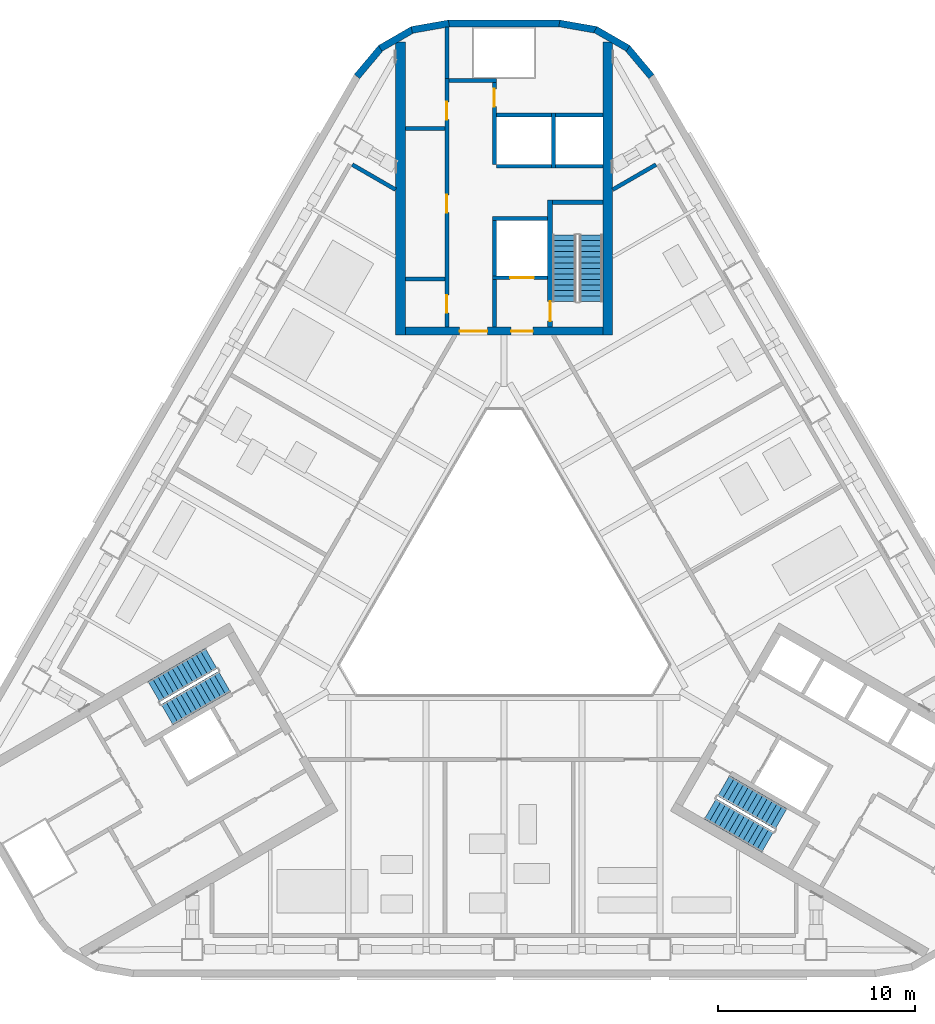
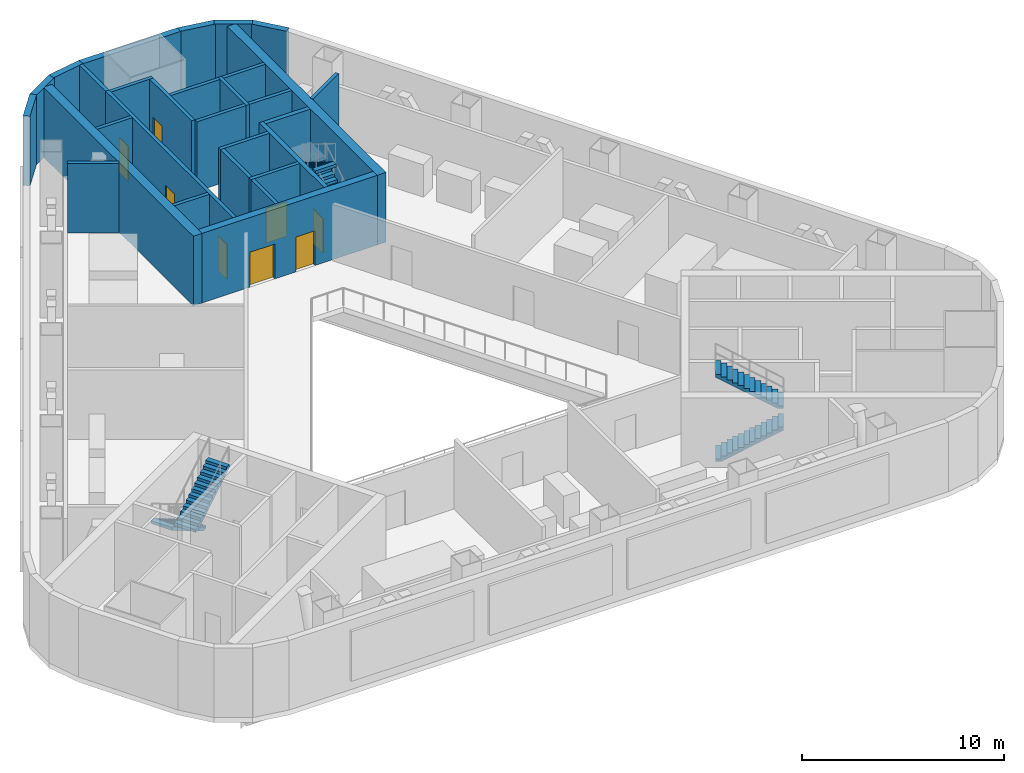
# One storey, part 9 of 15: 29 walls, 8 doors, 6 stair flights, 8 openings, 3 elements without a shape of their own.
"""IFC4 building model written with IfcOpenShell, lengths in metres."""

from ifc_helpers import new_model, si_unit, direction, frame, frame_2d, origin, place, context, subcontext, project, spatial, polyline, rectangle, outline, extrude, material, layer, layer_set, type_object, element, fill, aggregate, save


model = new_model("IFC4")

# Units and contexts
model_context = context("Model", 3, precision=1e-05, world=origin(), true_north=direction((0.0, 1.0)))
body_context = subcontext(model_context, "Body", "Model", "MODEL_VIEW")
ifc_project = project(units=[si_unit("LENGTHUNIT", "METRE"), si_unit("AREAUNIT", "SQUARE_METRE"), si_unit("VOLUMEUNIT", "CUBIC_METRE"), si_unit("PLANEANGLEUNIT", "RADIAN"), si_unit("MASSUNIT", "GRAM", prefix="KILO")], contexts=[model_context])

# Site, building, storey
site_placement = place(None, origin())
site = spatial("IfcSite", under=ifc_project, at=site_placement, CompositionType="ELEMENT")
building_placement = place(site_placement, origin())
building = spatial("IfcBuilding", under=site, at=building_placement, Name="Apuvela Tower Hotel", CompositionType="ELEMENT")
storey_placement = place(building_placement, frame((0.0, 0.0, 37.5)))
storey = spatial("IfcBuildingStorey", under=building, at=storey_placement, Name="L06 Plant", CompositionType="ELEMENT", Elevation=37.5)

# Wall, openings, doors
ifc_material_1 = material(Name="Concrete C50/60", Category="concrete")
ifc_layer_1 = layer(ifc_material_1, 0.39990234375)
ifc_layer_set_1 = layer_set([ifc_layer_1], Name="COR-WALL-CORE-400")
wall_type_1 = type_object("IfcWallType", Name="COR-WALL-CORE-400", PredefinedType="SHEAR", material=ifc_layer_set_1)
wall_1_placement = place(storey_placement, frame((5.0, 13.10009765625, 0.0), z_axis=(0.0, 0.0, 1.0), x_axis=(-1.0, 0.0, 0.0)))
wall_1 = element("IfcWall", 1, at=wall_1_placement, inside=storey, type_object=wall_type_1, Name="Core wall N", PredefinedType="SHEAR", context=body_context, shape_type="SweptSolid", body=[
    extrude(rectangle(XDim=10.0, YDim=0.39990234375, at=frame_2d((5.0, 0.0))), origin(), (0.0, 0.0, 1.0), 4.199951171875),
])
opening_1_placement = place(wall_1_placement, frame((3.550048828125, 0.0, 0.0)))
opening_1 = element("IfcOpeningElement", 2, at=opening_1_placement, cuts=wall_1, Name="Opening N-FD", PredefinedType="OPENING", context=body_context, shape_type="SweptSolid", body=[
    extrude(rectangle(XDim=1.10009765625, YDim=2.10009765625, at=frame_2d((0.550048828125, 1.050048828125))), frame((0.0, 0.2099609375, 0.0), z_axis=(0.0, -1.0, 0.0), x_axis=(1.0, 0.0, 0.0)), (0.0, 0.0, 1.0), 0.419921875),
])
opening_2_placement = place(wall_1_placement, frame((5.85009765625, 0.0, 0.0)))
opening_2 = element("IfcOpeningElement", 3, at=opening_2_placement, cuts=wall_1, Name="Opening N-GD", PredefinedType="OPENING", context=body_context, shape_type="SweptSolid", body=[
    extrude(rectangle(XDim=1.39990234375, YDim=2.10009765625, at=frame_2d((0.699951171875, 1.050048828125))), frame((0.0, 0.2099609375, 0.0), z_axis=(0.0, -1.0, 0.0), x_axis=(1.0, 0.0, 0.0)), (0.0, 0.0, 1.0), 0.419921875),
])
ifc_material_2 = material(Name="Steel fire door, powder coated", Category="steel")
door_type_1 = type_object("IfcDoorType", Name="COR-FD-1100", OperationType="NOTDEFINED", PredefinedType="DOOR", material=ifc_material_2)
door_1_placement = place(opening_1_placement, frame((1.10009765625, 0.0, 0.0), z_axis=(0.0, 0.0, 1.0), x_axis=(-1.0, 0.0, 0.0)))
door_1 = element("IfcDoor", 4, at=door_1_placement, inside=storey, type_object=door_type_1, Name="Firefighting lobby door N-FD", OperationType="SINGLE_SWING_LEFT", OverallHeight=2.10009765625, OverallWidth=1.10009765625, PredefinedType="DOOR", context=body_context, shape_type="SweptSolid", body=[
    extrude(rectangle(XDim=1.10009765625, YDim=2.10009765625, at=frame_2d((0.550048828125, 1.050048828125))), frame((0.0, 0.02490234375, 0.0), z_axis=(0.0, -1.0, 0.0), x_axis=(1.0, 0.0, 0.0)), (0.0, 0.0, 1.0), 0.050048828125),
])
fill(opening_1, door_1)
ifc_material_3 = material(Name="Glazed steel fire door", Category="steel")
door_type_2 = type_object("IfcDoorType", Name="COR-GD-1400", OperationType="DOUBLE_DOOR_SINGLE_SWING", PredefinedType="DOOR", material=ifc_material_3)
door_2_placement = place(opening_2_placement, frame((1.39990234375, 0.0, 0.0), z_axis=(0.0, 0.0, 1.0), x_axis=(-1.0, 0.0, 0.0)))
door_2 = element("IfcDoor", 5, at=door_2_placement, inside=storey, type_object=door_type_2, Name="Lift lobby door N-GD", OperationType="DOUBLE_DOOR_SINGLE_SWING", OverallHeight=2.10009765625, OverallWidth=1.39990234375, PredefinedType="DOOR", context=body_context, shape_type="SweptSolid", body=[
    extrude(rectangle(XDim=1.39990234375, YDim=2.10009765625, at=frame_2d((0.699951171875, 1.050048828125))), frame((0.0, 0.02490234375, 0.0), z_axis=(0.0, -1.0, 0.0), x_axis=(1.0, 0.0, 0.0)), (0.0, 0.0, 1.0), 0.050048828125),
])
fill(opening_2, door_2)

# Walls
ifc_layer_2 = layer(ifc_material_1, 0.5)
ifc_layer_set_2 = layer_set([ifc_layer_2], Name="COR-WALL-CORE-500")
wall_type_2 = type_object("IfcWallType", Name="COR-WALL-CORE-500", PredefinedType="SHEAR", material=ifc_layer_set_2)
for number, where, z_axis, x_axis, name in (
    (6, (5.25, 12.89990234375, 0.0), (0.0, 0.0, 1.0), (0.0, 1.0, 0.0), "Core wall N"),
    (7, (-5.25, 12.89990234375, 0.0), (0.0, 0.0, 1.0), (0.0, 1.0, 0.0), "Core wall N"),
):
    element("IfcWall", number, at=place(storey_placement, frame(where, z_axis=z_axis, x_axis=x_axis)), inside=storey, type_object=wall_type_2, Name=name, PredefinedType="SHEAR", context=body_context, shape_type="SweptSolid", body=[
        extrude(rectangle(XDim=14.8369140625, YDim=0.5, at=frame_2d((7.41845703125, 0.0))), origin(), (0.0, 0.0, 1.0), 4.199951171875),
    ])
ifc_material_4 = material(Name="Blockwork 200 mm plastered", Category="masonry")
ifc_layer_3 = layer(ifc_material_4, 0.199951171875)
ifc_layer_set_3 = layer_set([ifc_layer_3], Name="COR-WALL-PART-200")
wall_type_3 = type_object("IfcWallType", Name="COR-WALL-PART-200", PredefinedType="PARTITIONING", material=ifc_layer_set_3)
wall_2_placement = place(storey_placement, frame((5.0, 21.449951171875, 0.0), z_axis=(0.0, 0.0, 1.0), x_axis=(-1.0, 0.0, 0.0)))
element("IfcWall", 8, at=wall_2_placement, inside=storey, type_object=wall_type_3, Name="Partition N", PredefinedType="PARTITIONING", context=body_context, shape_type="SweptSolid", body=[
    extrude(rectangle(XDim=2.39990234375, YDim=0.199951171875, at=frame_2d((1.199951171875, 0.0))), origin(), (0.0, 0.0, 1.0), 4.199951171875),
])
wall_3_placement = place(storey_placement, frame((2.39990234375, 21.449951171875, 0.0), z_axis=(0.0, 0.0, 1.0), x_axis=(-1.0, 0.0, 0.0)))
element("IfcWall", 9, at=wall_3_placement, inside=storey, type_object=wall_type_3, Name="Partition N", PredefinedType="PARTITIONING", context=body_context, shape_type="SweptSolid", body=[
    extrude(rectangle(XDim=2.7998046875, YDim=0.199951171875, at=frame_2d((1.39990234375, 0.0))), origin(), (0.0, 0.0, 1.0), 4.199951171875),
])
ifc_layer_4 = layer(ifc_material_1, 0.199951171875)
ifc_layer_set_4 = layer_set([ifc_layer_4], Name="COR-WALL-SHAFT-200")
wall_type_4 = type_object("IfcWallType", Name="COR-WALL-SHAFT-200", PredefinedType="SHEAR", material=ifc_layer_set_4)
wall_4_placement = place(storey_placement, frame((2.199951171875, 18.800048828125, 0.0), z_axis=(0.0, 0.0, 1.0), x_axis=(-1.0, 0.0, 0.0)))
element("IfcWall", 10, at=wall_4_placement, inside=storey, type_object=wall_type_4, Name="Shaft wall N", PredefinedType="SHEAR", context=body_context, shape_type="SweptSolid", body=[
    extrude(rectangle(XDim=2.800048828125, YDim=0.199951171875, at=frame_2d((1.39990234375, 0.0))), origin(), (0.0, 0.0, 1.0), 4.199951171875),
])

# Wall, opening, door
wall_5_placement = place(storey_placement, frame((2.199951171875, 15.800048828125, 0.0), z_axis=(0.0, 0.0, 1.0), x_axis=(-1.0, 0.0, 0.0)))
wall_5 = element("IfcWall", 11, at=wall_5_placement, inside=storey, type_object=wall_type_4, Name="Shaft wall N", PredefinedType="SHEAR", context=body_context, shape_type="SweptSolid", body=[
    extrude(rectangle(XDim=2.800048828125, YDim=0.199951171875, at=frame_2d((1.39990234375, 0.0))), origin(), (0.0, 0.0, 1.0), 4.199951171875),
])
opening_3_placement = place(wall_5_placement, frame((0.699951171875, 0.0, 0.0)))
opening_3 = element("IfcOpeningElement", 12, at=opening_3_placement, cuts=wall_5, Name="Opening N-LD-FS1", PredefinedType="OPENING", context=body_context, shape_type="SweptSolid", body=[
    extrude(rectangle(XDim=1.199951171875, YDim=2.10009765625, at=frame_2d((0.60009765625, 1.050048828125))), frame((0.0, 0.10986328125, 0.0), z_axis=(0.0, -1.0, 0.0), x_axis=(1.0, 0.0, 0.0)), (0.0, 0.0, 1.0), 0.219970703125),
])
ifc_material_5 = material(Name="Stainless steel lift landing door", Category="steel")
door_type_3 = type_object("IfcDoorType", Name="COR-LD-1200", OperationType="DOUBLE_DOOR_SLIDING", PredefinedType="DOOR", material=ifc_material_5)
door_3_placement = place(opening_3_placement, origin())
door_3 = element("IfcDoor", 13, at=door_3_placement, inside=storey, type_object=door_type_3, Name="Lift landing door N-LD-FS1", OperationType="DOUBLE_DOOR_SLIDING", OverallHeight=2.10009765625, OverallWidth=1.199951171875, PredefinedType="DOOR", context=body_context, shape_type="SweptSolid", body=[
    extrude(rectangle(XDim=1.199951171875, YDim=2.10009765625, at=frame_2d((0.60009765625, 1.050048828125))), frame((0.0, 0.02490234375, 0.0), z_axis=(0.0, -1.0, 0.0), x_axis=(1.0, 0.0, 0.0)), (0.0, 0.0, 1.0), 0.050048828125),
])
fill(opening_3, door_3)

# Walls
wall_6_placement = place(storey_placement, frame((-0.5, 15.89990234375, 0.0), z_axis=(0.0, 0.0, 1.0), x_axis=(0.0, 1.0, 0.0)))
element("IfcWall", 14, at=wall_6_placement, inside=storey, type_object=wall_type_4, Name="Shaft wall N", PredefinedType="SHEAR", context=body_context, shape_type="SweptSolid", body=[
    extrude(rectangle(XDim=2.800048828125, YDim=0.199951171875, at=frame_2d((1.39990234375, 0.0))), origin(), (0.0, 0.0, 1.0), 4.199951171875),
])
wall_7_placement = place(storey_placement, frame((-0.5, 13.300048828125, 0.0), z_axis=(0.0, 0.0, 1.0), x_axis=(0.0, 1.0, 0.0)))
element("IfcWall", 15, at=wall_7_placement, inside=storey, type_object=wall_type_4, Name="Shaft wall N", PredefinedType="SHEAR", context=body_context, shape_type="SweptSolid", body=[
    extrude(rectangle(XDim=2.39990234375, YDim=0.199951171875, at=frame_2d((1.199951171875, 0.0))), origin(), (0.0, 0.0, 1.0), 4.199951171875),
])

# Wall, openings, doors
wall_8_placement = place(storey_placement, frame((-2.89990234375, 13.300048828125, 0.0), z_axis=(0.0, 0.0, 1.0), x_axis=(0.0, 1.0, 0.0)))
wall_8 = element("IfcWall", 16, at=wall_8_placement, inside=storey, type_object=wall_type_4, Name="Shaft wall N", PredefinedType="SHEAR", context=body_context, shape_type="SweptSolid", body=[
    extrude(rectangle(XDim=12.599853515625, YDim=0.199951171875, at=frame_2d((6.2998046875, 0.0))), origin(), (0.0, 0.0, 1.0), 4.199951171875),
])
opening_4_placement = place(wall_8_placement, frame((0.719970703125, 0.0, 0.0)))
opening_4 = element("IfcOpeningElement", 17, at=opening_4_placement, cuts=wall_8, Name="Opening N-RE1", PredefinedType="OPENING", context=body_context, shape_type="SweptSolid", body=[
    extrude(rectangle(XDim=0.89990234375, YDim=2.10009765625, at=frame_2d((0.449951171875, 1.050048828125))), frame((0.0, 0.10986328125, 0.0), z_axis=(0.0, -1.0, 0.0), x_axis=(1.0, 0.0, 0.0)), (0.0, 0.0, 1.0), 0.219970703125),
])
opening_5_placement = place(wall_8_placement, frame((5.800048828125, 0.0, 0.0)))
opening_5 = element("IfcOpeningElement", 18, at=opening_5_placement, cuts=wall_8, Name="Opening N-RE2", PredefinedType="OPENING", context=body_context, shape_type="SweptSolid", body=[
    extrude(rectangle(XDim=0.89990234375, YDim=2.10009765625, at=frame_2d((0.449951171875, 1.050048828125))), frame((0.0, 0.10986328125, 0.0), z_axis=(0.0, -1.0, 0.0), x_axis=(1.0, 0.0, 0.0)), (0.0, 0.0, 1.0), 0.219970703125),
])
opening_6_placement = place(wall_8_placement, frame((10.510009765625, 0.0, 0.0)))
opening_6 = element("IfcOpeningElement", 19, at=opening_6_placement, cuts=wall_8, Name="Opening N-REP", PredefinedType="OPENING", context=body_context, shape_type="SweptSolid", body=[
    extrude(rectangle(XDim=0.89990234375, YDim=2.10009765625, at=frame_2d((0.449951171875, 1.050048828125))), frame((0.0, 0.10986328125, 0.0), z_axis=(0.0, -1.0, 0.0), x_axis=(1.0, 0.0, 0.0)), (0.0, 0.0, 1.0), 0.219970703125),
])
door_type_4 = type_object("IfcDoorType", Name="COR-DR-900", OperationType="NOTDEFINED", PredefinedType="DOOR", material=ifc_material_2)
door_4_placement = place(opening_4_placement, origin())
door_4 = element("IfcDoor", 20, at=door_4_placement, inside=storey, type_object=door_type_4, Name="Store door N-RE1", OperationType="SINGLE_SWING_LEFT", OverallHeight=2.10009765625, OverallWidth=0.89990234375, PredefinedType="DOOR", context=body_context, shape_type="SweptSolid", body=[
    extrude(rectangle(XDim=0.89990234375, YDim=2.10009765625, at=frame_2d((0.449951171875, 1.050048828125))), frame((0.0, 0.02490234375, 0.0), z_axis=(0.0, -1.0, 0.0), x_axis=(1.0, 0.0, 0.0)), (0.0, 0.0, 1.0), 0.050048828125),
])
fill(opening_4, door_4)
door_5_placement = place(opening_5_placement, origin())
door_5 = element("IfcDoor", 21, at=door_5_placement, inside=storey, type_object=door_type_4, Name="Store door N-RE2", OperationType="SINGLE_SWING_RIGHT", OverallHeight=2.10009765625, OverallWidth=0.89990234375, PredefinedType="DOOR", context=body_context, shape_type="SweptSolid", body=[
    extrude(rectangle(XDim=0.89990234375, YDim=2.10009765625, at=frame_2d((0.449951171875, 1.050048828125))), frame((0.0, 0.02490234375, 0.0), z_axis=(0.0, -1.0, 0.0), x_axis=(1.0, 0.0, 0.0)), (0.0, 0.0, 1.0), 0.050048828125),
])
fill(opening_5, door_5)
door_6_placement = place(opening_6_placement, origin())
door_6 = element("IfcDoor", 22, at=door_6_placement, inside=storey, type_object=door_type_4, Name="Store door N-REP", OperationType="SINGLE_SWING_RIGHT", OverallHeight=2.10009765625, OverallWidth=0.89990234375, PredefinedType="DOOR", context=body_context, shape_type="SweptSolid", body=[
    extrude(rectangle(XDim=0.89990234375, YDim=2.10009765625, at=frame_2d((0.449951171875, 1.050048828125))), frame((0.0, 0.02490234375, 0.0), z_axis=(0.0, -1.0, 0.0), x_axis=(1.0, 0.0, 0.0)), (0.0, 0.0, 1.0), 0.050048828125),
])
fill(opening_6, door_6)

# Wall
wall_9_placement = place(storey_placement, frame((-0.39990234375, 25.800048828125, 0.0), z_axis=(0.0, 0.0, 1.0), x_axis=(-1.0, 0.0, 0.0)))
element("IfcWall", 23, at=wall_9_placement, inside=storey, type_object=wall_type_4, Name="Shaft wall N", PredefinedType="SHEAR", context=body_context, shape_type="SweptSolid", body=[
    extrude(rectangle(XDim=2.400146484375, YDim=0.199951171875, at=frame_2d((1.2001953125, 0.0))), origin(), (0.0, 0.0, 1.0), 4.199951171875),
])

# Wall, opening, door
wall_10_placement = place(storey_placement, frame((-0.5, 21.550048828125, 0.0), z_axis=(0.0, 0.0, 1.0), x_axis=(0.0, 1.0, 0.0)))
wall_10 = element("IfcWall", 24, at=wall_10_placement, inside=storey, type_object=wall_type_4, Name="Shaft wall N", PredefinedType="SHEAR", context=body_context, shape_type="SweptSolid", body=[
    extrude(rectangle(XDim=4.14990234375, YDim=0.199951171875, at=frame_2d((2.074951171875, 0.0))), origin(), (0.0, 0.0, 1.0), 4.199951171875),
])
opening_7_placement = place(wall_10_placement, frame((2.925048828125, 0.0, 0.0)))
opening_7 = element("IfcOpeningElement", 25, at=opening_7_placement, cuts=wall_10, Name="Opening N-RSP", PredefinedType="OPENING", context=body_context, shape_type="SweptSolid", body=[
    extrude(rectangle(XDim=0.89990234375, YDim=2.10009765625, at=frame_2d((0.449951171875, 1.050048828125))), frame((0.0, 0.10986328125, 0.0), z_axis=(0.0, -1.0, 0.0), x_axis=(1.0, 0.0, 0.0)), (0.0, 0.0, 1.0), 0.219970703125),
])
door_7_placement = place(opening_7_placement, frame((0.89990234375, 0.0, 0.0), z_axis=(0.0, 0.0, 1.0), x_axis=(-1.0, 0.0, 0.0)))
door_7 = element("IfcDoor", 26, at=door_7_placement, inside=storey, type_object=door_type_4, Name="Store door N-RSP", OperationType="SINGLE_SWING_LEFT", OverallHeight=2.10009765625, OverallWidth=0.89990234375, PredefinedType="DOOR", context=body_context, shape_type="SweptSolid", body=[
    extrude(rectangle(XDim=0.89990234375, YDim=2.10009765625, at=frame_2d((0.449951171875, 1.050048828125))), frame((0.0, 0.02490234375, 0.0), z_axis=(0.0, -1.0, 0.0), x_axis=(1.0, 0.0, 0.0)), (0.0, 0.0, 1.0), 0.050048828125),
])
fill(opening_7, door_7)

# Walls
for number, where, z_axis, x_axis, name in (
    (27, (-3.0, 15.739990234375, 0.0), (0.0, 0.0, 1.0), (-1.0, 0.0, 0.0), "Shaft wall N"),
    (28, (-3.0, 23.360107421875, 0.0), (0.0, 0.0, 1.0), (-1.0, 0.0, 0.0), "Shaft wall N"),
):
    element("IfcWall", number, at=place(storey_placement, frame(where, z_axis=z_axis, x_axis=x_axis)), inside=storey, type_object=wall_type_4, Name=name, PredefinedType="SHEAR", context=body_context, shape_type="SweptSolid", body=[
        extrude(rectangle(XDim=2.0, YDim=0.199951171875, at=frame_2d((1.0, 0.0))), origin(), (0.0, 0.0, 1.0), 4.199951171875),
    ])
wall_11_placement = place(storey_placement, frame((-2.89990234375, 25.89990234375, 0.0), z_axis=(0.0, 0.0, 1.0), x_axis=(0.0, 1.0, 0.0)))
element("IfcWall", 29, at=wall_11_placement, inside=storey, type_object=wall_type_4, Name="Shaft wall N", PredefinedType="SHEAR", context=body_context, shape_type="SweptSolid", body=[
    extrude(rectangle(XDim=2.60009765625, YDim=0.199951171875, at=frame_2d((1.300048828125, 0.0))), origin(), (0.0, 0.0, 1.0), 4.199951171875),
])
wall_12_placement = place(storey_placement, frame((2.5, 21.35009765625, 0.0), z_axis=(0.0, 0.0, 1.0), x_axis=(0.0, 1.0, 0.0)))
element("IfcWall", 30, at=wall_12_placement, inside=storey, type_object=wall_type_4, Name="Shaft wall N", PredefinedType="SHEAR", context=body_context, shape_type="SweptSolid", body=[
    extrude(rectangle(XDim=2.7998046875, YDim=0.199951171875, at=frame_2d((1.39990234375, 0.0))), origin(), (0.0, 0.0, 1.0), 4.199951171875),
])
wall_13_placement = place(storey_placement, frame((5.0, 24.050048828125, 0.0), z_axis=(0.0, 0.0, 1.0), x_axis=(-1.0, 0.0, 0.0)))
element("IfcWall", 31, at=wall_13_placement, inside=storey, type_object=wall_type_4, Name="Shaft wall N", PredefinedType="SHEAR", context=body_context, shape_type="SweptSolid", body=[
    extrude(rectangle(XDim=2.39990234375, YDim=0.199951171875, at=frame_2d((1.199951171875, 0.0))), origin(), (0.0, 0.0, 1.0), 4.199951171875),
])
wall_14_placement = place(storey_placement, frame((2.39990234375, 24.050048828125, 0.0), z_axis=(0.0, 0.0, 1.0), x_axis=(-1.0, 0.0, 0.0)))
element("IfcWall", 32, at=wall_14_placement, inside=storey, type_object=wall_type_4, Name="Shaft wall N", PredefinedType="SHEAR", context=body_context, shape_type="SweptSolid", body=[
    extrude(rectangle(XDim=2.7998046875, YDim=0.199951171875, at=frame_2d((1.39990234375, 0.0))), origin(), (0.0, 0.0, 1.0), 4.199951171875),
])

# Wall, opening, door
ifc_layer_5 = layer(ifc_material_1, 0.25)
ifc_layer_set_5 = layer_set([ifc_layer_5], Name="COR-WALL-STAIR-250")
wall_type_5 = type_object("IfcWallType", Name="COR-WALL-STAIR-250", PredefinedType="SHEAR", material=ifc_layer_set_5)
wall_15_placement = place(storey_placement, frame((2.324951171875, 13.300048828125, 0.0), z_axis=(0.0, 0.0, 1.0), x_axis=(0.0, 1.0, 0.0)))
wall_15 = element("IfcWall", 33, at=wall_15_placement, inside=storey, type_object=wall_type_5, Name="Stair wall N", PredefinedType="SHEAR", context=body_context, shape_type="SweptSolid", body=[
    extrude(rectangle(XDim=6.449951171875, YDim=0.25, at=frame_2d((3.22509765625, 0.0))), origin(), (0.0, 0.0, 1.0), 4.199951171875),
])
opening_8_placement = place(wall_15_placement, frame((0.300048828125, 0.0, 0.0)))
opening_8 = element("IfcOpeningElement", 34, at=opening_8_placement, cuts=wall_15, Name="Opening N-SD", PredefinedType="OPENING", context=body_context, shape_type="SweptSolid", body=[
    extrude(rectangle(XDim=1.0, YDim=2.10009765625, at=frame_2d((0.5, 1.050048828125))), frame((0.0, 0.135009765625, 0.0), z_axis=(0.0, -1.0, 0.0), x_axis=(1.0, 0.0, 0.0)), (0.0, 0.0, 1.0), 0.27001953125),
])
door_type_5 = type_object("IfcDoorType", Name="COR-SD-1000", OperationType="NOTDEFINED", PredefinedType="DOOR", material=ifc_material_2)
door_8_placement = place(opening_8_placement, frame((1.0, 0.0, 0.0), z_axis=(0.0, 0.0, 1.0), x_axis=(-1.0, 0.0, 0.0)))
door_8 = element("IfcDoor", 35, at=door_8_placement, inside=storey, type_object=door_type_5, Name="Stair door N-SD", OperationType="SINGLE_SWING_LEFT", OverallHeight=2.10009765625, OverallWidth=1.0, PredefinedType="DOOR", context=body_context, shape_type="SweptSolid", body=[
    extrude(rectangle(XDim=1.0, YDim=2.10009765625, at=frame_2d((0.5, 1.050048828125))), frame((0.0, 0.02490234375, 0.0), z_axis=(0.0, -1.0, 0.0), x_axis=(1.0, 0.0, 0.0)), (0.0, 0.0, 1.0), 0.050048828125),
])
fill(opening_8, door_8)

# Walls
wall_16_placement = place(storey_placement, frame((5.0, 19.625, 0.0), z_axis=(0.0, 0.0, 1.0), x_axis=(-1.0, 0.0, 0.0)))
element("IfcWall", 36, at=wall_16_placement, inside=storey, type_object=wall_type_5, Name="Stair wall N", PredefinedType="SHEAR", context=body_context, shape_type="SweptSolid", body=[
    extrude(rectangle(XDim=2.550048828125, YDim=0.25, at=frame_2d((1.27490234375, 0.0))), origin(), (0.0, 0.0, 1.0), 4.199951171875),
])
ifc_material_6 = material(Name="Concrete C40/50, dark pigmented precast panel", Category="concrete")
ifc_layer_6 = layer(ifc_material_6, 0.35009765625)
ifc_layer_set_6 = layer_set([ifc_layer_6], Name="ENV-WALL-350")
wall_type_6 = type_object("IfcWallType", Name="ENV-WALL-350", PredefinedType="SOLIDWALL", material=ifc_layer_set_6)
for number, where, z_axis, x_axis, name in (
    (37, (6.27685546875, 27.421630859375, 0.0), (0.0, 0.0, 1.0), (-0.866032345022, 0.499987977232, 0.0), "External wall L06 Plant-01"),
    (38, (4.6796875, 28.35595703125, 0.0), (0.0, 0.0, 1.0), (-0.984798995425, 0.173697837091, 0.0), "External wall L06 Plant-02"),
):
    element("IfcWall", number, at=place(storey_placement, frame(where, z_axis=z_axis, x_axis=x_axis)), inside=storey, type_object=wall_type_6, Name=name, PredefinedType="SOLIDWALL", context=body_context, shape_type="SweptSolid", body=[
        extrude(rectangle(XDim=1.91015625, YDim=0.35009765625, at=frame_2d((0.955078125, 0.0))), origin(), (0.0, 0.0, 1.0), 4.199951171875),
    ])
wall_17_placement = place(storey_placement, frame((2.8291015625, 28.68505859375, 0.0), z_axis=(0.0, 0.0, 1.0), x_axis=(-1.0, 0.0, 0.0)))
element("IfcWall", 39, at=wall_17_placement, inside=storey, type_object=wall_type_6, Name="External wall L06 Plant-03", PredefinedType="SOLIDWALL", context=body_context, shape_type="SweptSolid", body=[
    extrude(rectangle(XDim=5.658203125, YDim=0.35009765625, at=frame_2d((2.8291015625, 0.0))), origin(), (0.0, 0.0, 1.0), 4.199951171875),
])
for number, where, z_axis, x_axis, name in (
    (40, (-2.798583984375, 28.687744140625, 0.0), (0.0, 0.0, 1.0), (-0.984798995425, -0.173697837091, 0.0), "External wall L06 Plant-04"),
    (41, (-4.62255859375, 28.376708984375, 0.0), (0.0, 0.0, 1.0), (-0.866032345022, -0.499987977232, 0.0), "External wall L06 Plant-05"),
):
    element("IfcWall", number, at=place(storey_placement, frame(where, z_axis=z_axis, x_axis=x_axis)), inside=storey, type_object=wall_type_6, Name=name, PredefinedType="SOLIDWALL", context=body_context, shape_type="SweptSolid", body=[
        extrude(rectangle(XDim=1.91015625, YDim=0.35009765625, at=frame_2d((0.955078125, 0.0))), origin(), (0.0, 0.0, 1.0), 4.199951171875),
    ])
for number, where, z_axis, x_axis, name in (
    (42, (-6.230224609375, 27.460693359375, 0.0), (0.0, 0.0, 1.0), (-0.642808304945, -0.766027077259, 0.0), "External wall L06 Plant-06"),
    (43, (7.4580078125, 25.99755859375, 0.0), (0.0, 0.0, 1.0), (-0.642808304945, 0.766027077259, 0.0), "External wall L06 Plant-24"),
):
    element("IfcWall", number, at=place(storey_placement, frame(where, z_axis=z_axis, x_axis=x_axis)), inside=storey, type_object=wall_type_6, Name=name, PredefinedType="SOLIDWALL", context=body_context, shape_type="SweptSolid", body=[
        extrude(rectangle(XDim=1.909912109375, YDim=0.35009765625, at=frame_2d((0.955078125, 0.0))), origin(), (0.0, 0.0, 1.0), 4.199951171875),
    ])
ifc_material_7 = material(Name="Reinforced blockwork B15", Category="masonry")
ifc_layer_7 = layer(ifc_material_7, 0.199951171875)
ifc_layer_set_7 = layer_set([ifc_layer_7], Name="SPC-WALL-PLANT")
wall_type_7 = type_object("IfcWallType", Name="SPC-WALL-PLANT", PredefinedType="PARTITIONING", material=ifc_layer_set_7)
for number, where, z_axis, x_axis, name in (
    (44, (7.69482421875, 21.5322265625, 0.0), (0.0, 0.0, 1.0), (-0.865999496279, -0.500044870432, 0.0), "Wall L06-NE-P06"),
    (45, (-7.69482421875, 21.5322265625, 0.0), (0.0, 0.0, 1.0), (0.865999496279, -0.500044870432, 0.0), "Wall L06-NW-P03"),
):
    element("IfcWall", number, at=place(storey_placement, frame(where, z_axis=z_axis, x_axis=x_axis)), inside=storey, type_object=wall_type_7, Name=name, PredefinedType="PARTITIONING", context=body_context, shape_type="SweptSolid", body=[
        extrude(rectangle(XDim=2.534423828125, YDim=0.199951171875, at=frame_2d((1.26708984375, 0.0))), origin(), (0.0, 0.0, 1.0), 4.199951171875),
    ])

# Stair, stair flights
stair_type = type_object("IfcStairType", Name="COR-STAIR-26R", PredefinedType="HALF_TURN_STAIR", material=ifc_material_1)
stair_1_placement = place(storey_placement, origin())
stair_1 = element("IfcStair", 46, at=stair_1_placement, inside=storey, type_object=stair_type, Name="L06 Plant Exit stair ST1", PredefinedType="HALF_TURN_STAIR")
stair_flight_type = type_object("IfcStairFlightType", Name="COR-FLIGHT-13R", PredefinedType="STRAIGHT", material=ifc_material_1)
stair_flight_1_placement = place(storey_placement, frame((4.39990234375, 14.60009765625, 0.0), z_axis=(0.0, 0.0, 1.0), x_axis=(0.0, 1.0, 0.0)))
stair_flight_1 = element("IfcStairFlight", 47, at=stair_flight_1_placement, type_object=stair_flight_type, Name="ST1 flight 1", NumberOfRisers=13, NumberOfTreads=12, PredefinedType="STRAIGHT", RiserHeight=0.173076923, TreadLength=0.28, context=body_context, shape_type="SweptSolid", body=[
    extrude(outline(polyline([(0.0, 0.0), (0.0, 0.173095703125), (0.280029296875, 0.173095703125), (0.280029296875, 0.34619140625), (0.56005859375, 0.34619140625), (0.56005859375, 0.519287109375), (0.840087890625, 0.519287109375), (0.840087890625, 0.6923828125), (1.1201171875, 0.6923828125), (1.1201171875, 0.865478515625), (1.39990234375, 0.865478515625), (1.39990234375, 1.03857421875), (1.679931640625, 1.03857421875), (1.679931640625, 1.21142578125), (1.9599609375, 1.21142578125), (1.9599609375, 1.384521484375), (2.239990234375, 1.384521484375), (2.239990234375, 1.5576171875), (2.52001953125, 1.5576171875), (2.52001953125, 1.730712890625), (2.800048828125, 1.730712890625), (2.800048828125, 1.90380859375), (3.080078125, 1.90380859375), (3.080078125, 2.076904296875), (3.360107421875, 2.076904296875), (3.360107421875, 2.25), (3.360107421875, 1.900634765625), (0.28515625, 0.0), (0.0, 0.0)])), frame((0.0, 0.60009765625, 0.0), z_axis=(0.0, -1.0, 0.0), x_axis=(1.0, 0.0, 0.0)), (0.0, 0.0, 1.0), 1.199951171875),
])
stair_flight_2_placement = place(storey_placement, frame((3.050048828125, 17.9599609375, 2.25), z_axis=(0.0, 0.0, 1.0), x_axis=(0.0, -1.0, 0.0)))
stair_flight_2 = element("IfcStairFlight", 48, at=stair_flight_2_placement, type_object=stair_flight_type, Name="ST1 flight 2", NumberOfRisers=13, NumberOfTreads=12, PredefinedType="STRAIGHT", RiserHeight=0.173076923, TreadLength=0.28, context=body_context, shape_type="SweptSolid", body=[
    extrude(outline(polyline([(0.0, 0.0), (0.0, 0.173095703125), (0.280029296875, 0.173095703125), (0.280029296875, 0.34619140625), (0.56005859375, 0.34619140625), (0.56005859375, 0.519287109375), (0.840087890625, 0.519287109375), (0.840087890625, 0.6923828125), (1.1201171875, 0.6923828125), (1.1201171875, 0.865478515625), (1.39990234375, 0.865478515625), (1.39990234375, 1.03857421875), (1.679931640625, 1.03857421875), (1.679931640625, 1.21142578125), (1.9599609375, 1.21142578125), (1.9599609375, 1.384521484375), (2.239990234375, 1.384521484375), (2.239990234375, 1.5576171875), (2.52001953125, 1.5576171875), (2.52001953125, 1.730712890625), (2.800048828125, 1.730712890625), (2.800048828125, 1.90380859375), (3.080078125, 1.90380859375), (3.080078125, 2.076904296875), (3.360107421875, 2.076904296875), (3.360107421875, 2.25), (3.360107421875, 1.900634765625), (0.28515625, 0.0), (0.0, 0.0)])), frame((0.0, 0.60009765625, 0.0), z_axis=(0.0, -1.0, 0.0), x_axis=(1.0, 0.0, 0.0)), (0.0, 0.0, 1.0), 1.199951171875),
])
aggregate(stair_1, [stair_flight_1, stair_flight_2])

stair_2_placement = place(storey_placement, origin())
stair_2 = element("IfcStair", 49, at=stair_2_placement, inside=storey, type_object=stair_type, Name="L06 Plant Exit stair ST2", PredefinedType="HALF_TURN_STAIR")
stair_flight_3_placement = place(storey_placement, frame((-14.843994140625, -3.489501953125, 0.0), z_axis=(0.0, 0.0, 1.0), x_axis=(-0.866025403784, -0.5, 0.0)))
stair_flight_3 = element("IfcStairFlight", 50, at=stair_flight_3_placement, type_object=stair_flight_type, Name="ST2 flight 1", NumberOfRisers=13, NumberOfTreads=12, PredefinedType="STRAIGHT", RiserHeight=0.173076923, TreadLength=0.28, context=body_context, shape_type="SweptSolid", body=[
    extrude(outline(polyline([(0.0, 0.0), (0.0, 0.173095703125), (0.280029296875, 0.173095703125), (0.280029296875, 0.34619140625), (0.56005859375, 0.34619140625), (0.56005859375, 0.519287109375), (0.840087890625, 0.519287109375), (0.840087890625, 0.6923828125), (1.1201171875, 0.6923828125), (1.1201171875, 0.865478515625), (1.39990234375, 0.865478515625), (1.39990234375, 1.03857421875), (1.679931640625, 1.03857421875), (1.679931640625, 1.21142578125), (1.9599609375, 1.21142578125), (1.9599609375, 1.384521484375), (2.239990234375, 1.384521484375), (2.239990234375, 1.5576171875), (2.52001953125, 1.5576171875), (2.52001953125, 1.730712890625), (2.800048828125, 1.730712890625), (2.800048828125, 1.90380859375), (3.080078125, 1.90380859375), (3.080078125, 2.076904296875), (3.360107421875, 2.076904296875), (3.360107421875, 2.25), (3.360107421875, 1.900634765625), (0.28515625, 0.0), (0.0, 0.0)])), frame((0.0, 0.60009765625, 0.0), z_axis=(0.0, -1.0, 0.0), x_axis=(1.0, 0.0, 0.0)), (0.0, 0.0, 1.0), 1.199951171875),
])
stair_flight_4_placement = place(storey_placement, frame((-17.078857421875, -6.338623046875, 2.25), z_axis=(0.0, 0.0, 1.0), x_axis=(0.866025403784, 0.5, 0.0)))
stair_flight_4 = element("IfcStairFlight", 51, at=stair_flight_4_placement, type_object=stair_flight_type, Name="ST2 flight 2", NumberOfRisers=13, NumberOfTreads=12, PredefinedType="STRAIGHT", RiserHeight=0.173076923, TreadLength=0.28, context=body_context, shape_type="SweptSolid", body=[
    extrude(outline(polyline([(0.0, 0.0), (0.0, 0.173095703125), (0.280029296875, 0.173095703125), (0.280029296875, 0.34619140625), (0.56005859375, 0.34619140625), (0.56005859375, 0.519287109375), (0.840087890625, 0.519287109375), (0.840087890625, 0.6923828125), (1.1201171875, 0.6923828125), (1.1201171875, 0.865478515625), (1.39990234375, 0.865478515625), (1.39990234375, 1.03857421875), (1.679931640625, 1.03857421875), (1.679931640625, 1.21142578125), (1.9599609375, 1.21142578125), (1.9599609375, 1.384521484375), (2.239990234375, 1.384521484375), (2.239990234375, 1.5576171875), (2.52001953125, 1.5576171875), (2.52001953125, 1.730712890625), (2.800048828125, 1.730712890625), (2.800048828125, 1.90380859375), (3.080078125, 1.90380859375), (3.080078125, 2.076904296875), (3.360107421875, 2.076904296875), (3.360107421875, 2.25), (3.360107421875, 1.900634765625), (0.28515625, 0.0), (0.0, 0.0)])), frame((0.0, 0.60009765625, 0.0), z_axis=(0.0, -1.0, 0.0), x_axis=(1.0, 0.0, 0.0)), (0.0, 0.0, 1.0), 1.199951171875),
])
aggregate(stair_2, [stair_flight_3, stair_flight_4])

stair_3_placement = place(storey_placement, origin())
stair_3 = element("IfcStair", 52, at=stair_3_placement, inside=storey, type_object=stair_type, Name="L06 Plant Exit stair ST3", PredefinedType="HALF_TURN_STAIR")
stair_flight_5_placement = place(storey_placement, frame((10.444091796875, -11.110595703125, 0.0), z_axis=(0.0, 0.0, 1.0), x_axis=(0.866025403784, -0.5, 0.0)))
stair_flight_5 = element("IfcStairFlight", 53, at=stair_flight_5_placement, type_object=stair_flight_type, Name="ST3 flight 1", NumberOfRisers=13, NumberOfTreads=12, PredefinedType="STRAIGHT", RiserHeight=0.173076923, TreadLength=0.28, context=body_context, shape_type="SweptSolid", body=[
    extrude(outline(polyline([(0.0, 0.0), (0.0, 0.173095703125), (0.280029296875, 0.173095703125), (0.280029296875, 0.34619140625), (0.56005859375, 0.34619140625), (0.56005859375, 0.519287109375), (0.840087890625, 0.519287109375), (0.840087890625, 0.6923828125), (1.1201171875, 0.6923828125), (1.1201171875, 0.865478515625), (1.39990234375, 0.865478515625), (1.39990234375, 1.03857421875), (1.679931640625, 1.03857421875), (1.679931640625, 1.21142578125), (1.9599609375, 1.21142578125), (1.9599609375, 1.384521484375), (2.239990234375, 1.384521484375), (2.239990234375, 1.5576171875), (2.52001953125, 1.5576171875), (2.52001953125, 1.730712890625), (2.800048828125, 1.730712890625), (2.800048828125, 1.90380859375), (3.080078125, 1.90380859375), (3.080078125, 2.076904296875), (3.360107421875, 2.076904296875), (3.360107421875, 2.25), (3.360107421875, 1.900634765625), (0.28515625, 0.0), (0.0, 0.0)])), frame((0.0, 0.60009765625, 0.0), z_axis=(0.0, -1.0, 0.0), x_axis=(1.0, 0.0, 0.0)), (0.0, 0.0, 1.0), 1.199951171875),
])
stair_flight_6_placement = place(storey_placement, frame((14.02880859375, -11.621337890625, 2.25), z_axis=(0.0, 0.0, 1.0), x_axis=(-0.866025403784, 0.5, 0.0)))
stair_flight_6 = element("IfcStairFlight", 54, at=stair_flight_6_placement, type_object=stair_flight_type, Name="ST3 flight 2", NumberOfRisers=13, NumberOfTreads=12, PredefinedType="STRAIGHT", RiserHeight=0.173076923, TreadLength=0.28, context=body_context, shape_type="SweptSolid", body=[
    extrude(outline(polyline([(0.0, 0.0), (0.0, 0.173095703125), (0.280029296875, 0.173095703125), (0.280029296875, 0.34619140625), (0.56005859375, 0.34619140625), (0.56005859375, 0.519287109375), (0.840087890625, 0.519287109375), (0.840087890625, 0.6923828125), (1.1201171875, 0.6923828125), (1.1201171875, 0.865478515625), (1.39990234375, 0.865478515625), (1.39990234375, 1.03857421875), (1.679931640625, 1.03857421875), (1.679931640625, 1.21142578125), (1.9599609375, 1.21142578125), (1.9599609375, 1.384521484375), (2.239990234375, 1.384521484375), (2.239990234375, 1.5576171875), (2.52001953125, 1.5576171875), (2.52001953125, 1.730712890625), (2.800048828125, 1.730712890625), (2.800048828125, 1.90380859375), (3.080078125, 1.90380859375), (3.080078125, 2.076904296875), (3.360107421875, 2.076904296875), (3.360107421875, 2.25), (3.360107421875, 1.900634765625), (0.28515625, 0.0), (0.0, 0.0)])), frame((0.0, 0.60009765625, 0.0), z_axis=(0.0, -1.0, 0.0), x_axis=(1.0, 0.0, 0.0)), (0.0, 0.0, 1.0), 1.199951171875),
])
aggregate(stair_3, [stair_flight_5, stair_flight_6])

save(model, "model.ifc")
